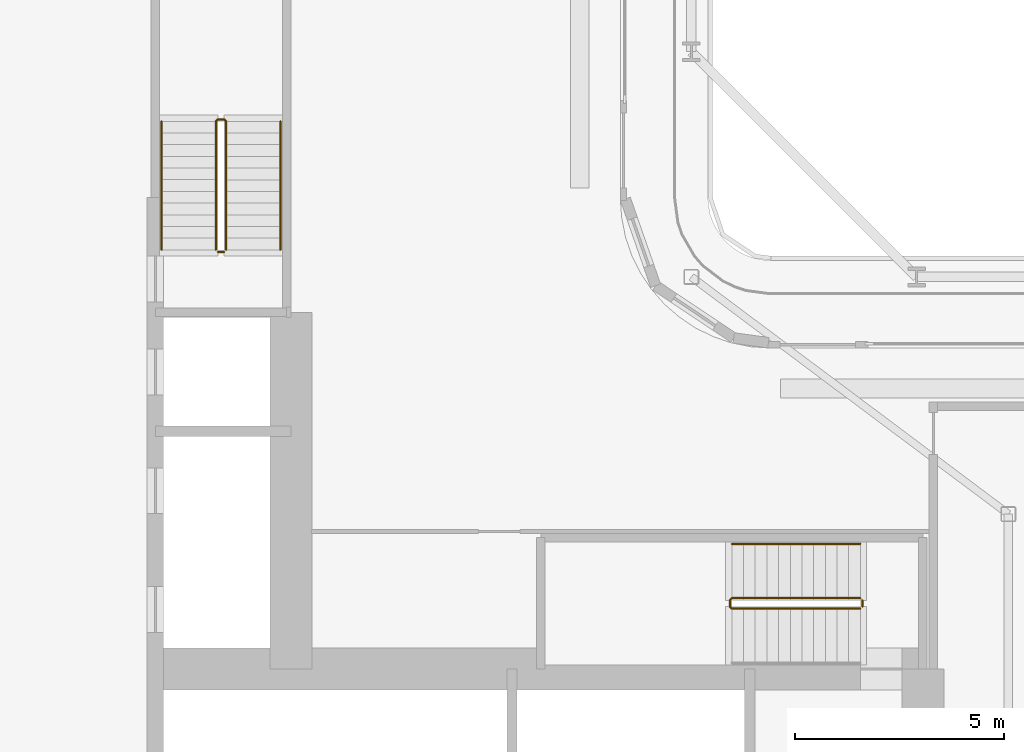
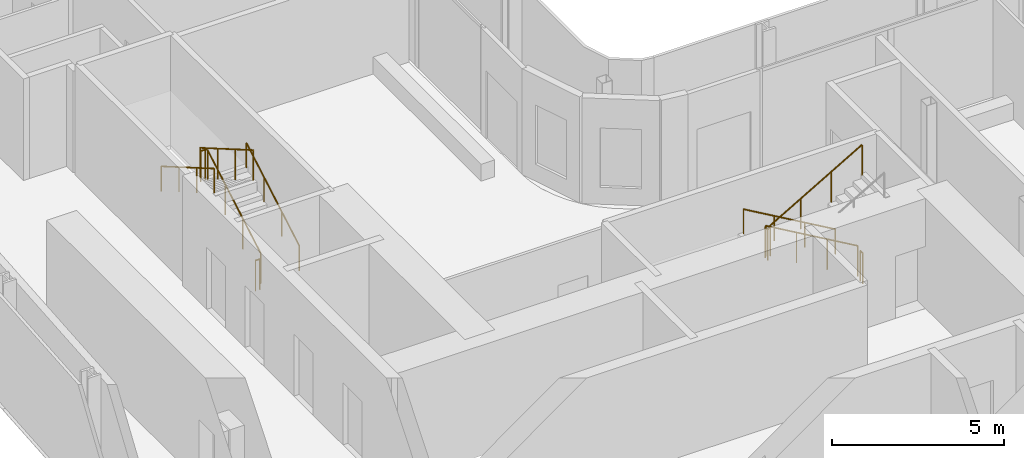
# One storey, part 22 of 27: 7 railings.
"""IFC4 building model written with IfcOpenShell, lengths in metres."""

from ifc_helpers import new_model, si_unit, direction, frame, origin, origin_2d, place, context, subcontext, project, spatial, circle, extrude, material, type_object, element, save


model = new_model("IFC4")

# Units and contexts
model_context = context("Model", 3, precision=1e-05, world=origin(), true_north=direction((0.0, 1.0)))
body_context = subcontext(model_context, "Body", "Model", "MODEL_VIEW")
ifc_project = project(units=[si_unit("LENGTHUNIT", "METRE"), si_unit("AREAUNIT", "SQUARE_METRE"), si_unit("VOLUMEUNIT", "CUBIC_METRE"), si_unit("PLANEANGLEUNIT", "RADIAN"), si_unit("MASSUNIT", "GRAM", prefix="KILO")], contexts=[model_context])

# Site, building, storey
site_placement = place(None, origin())
site = spatial("IfcSite", under=ifc_project, at=site_placement, CompositionType="ELEMENT")
building_placement = place(site_placement, origin())
building = spatial("IfcBuilding", under=site, at=building_placement, Name="Kheshtan School and Residences Tower", CompositionType="ELEMENT")
storey_placement = place(building_placement, frame((0.0, 0.0, 50.0)))
storey = spatial("IfcBuildingStorey", under=building, at=storey_placement, Name="L11", CompositionType="ELEMENT", Elevation=50.0)

# Railings
ifc_material_1 = material(Name="Stainless steel balustrade", Category="steel")
railing_type_1 = type_object("IfcRailingType", Name="Stair guard 1100", PredefinedType="GUARDRAIL", material=ifc_material_1)
railing_1_placement = place(storey_placement, frame((51.64990234375, 37.89990234375, 0.16259765625)))
element("IfcRailing", 1, at=railing_1_placement, inside=storey, type_object=railing_type_1, Name="L11 ST1 stair guard 1", PredefinedType="GUARDRAIL", context=body_context, shape_type="SweptSolid", body=[
    extrude(circle(Radius=0.02392578125, at=origin_2d()), frame((0.0, 0.0, 1.076171875), z_axis=(-0.864903211148, 0.0, 0.501938676878), x_axis=(0.0, -1.0, 0.0)), (0.0, 0.0, 1.0), 3.560791015625),
    extrude(circle(Radius=0.02392578125, at=origin_2d()), frame((-3.079833984375, 0.0, 2.86328125), z_axis=(-0.708833529934, -0.705375805398, 0.0), x_axis=(0.705375805398, -0.708833529934, 0.0)), (0.0, 0.0, 1.0), 0.070556640625),
    extrude(circle(Radius=0.02392578125, at=origin_2d()), frame((-3.1298828125, -0.0498046875, 2.86328125), z_axis=(0.0, -1.0, 0.0), x_axis=(1.0, 0.0, 0.0)), (0.0, 0.0, 1.0), 0.150146484375),
    extrude(circle(Radius=0.02392578125, at=origin_2d()), frame((-3.1298828125, -0.199951171875, 2.86328125), z_axis=(0.282227285176, -0.282227285176, 0.916894497205), x_axis=(0.707106781187, 0.707106781187, 0.0)), (0.0, 0.0, 1.0), 0.17724609375),
    extrude(circle(Radius=0.02392578125, at=origin_2d()), frame((-3.079833984375, -0.25, 3.02587890625), z_axis=(0.864903211148, 0.0, 0.501938676878), x_axis=(0.0, 1.0, 0.0)), (0.0, 0.0, 1.0), 3.560791015625),
    extrude(circle(Radius=0.02099609375, at=origin_2d()), origin(), (0.0, 0.0, 1.0), 1.052001953125),
    extrude(circle(Radius=0.02099609375, at=origin_2d()), frame((-1.026611328125, 0.0, 0.595703125)), (0.0, 0.0, 1.0), 1.052001953125),
    extrude(circle(Radius=0.02099609375, at=origin_2d()), frame((-2.05322265625, 0.0, 1.191650390625)), (0.0, 0.0, 1.0), 1.052001953125),
    extrude(circle(Radius=0.02099609375, at=origin_2d()), frame((-3.079833984375, 0.0, 1.787353515625)), (0.0, 0.0, 1.0), 1.052001953125),
    extrude(circle(Radius=0.02099609375, at=origin_2d()), frame((-3.1298828125, -0.0498046875, 1.787353515625)), (0.0, 0.0, 1.0), 1.052001953125),
    extrude(circle(Radius=0.02099609375, at=origin_2d()), frame((-3.1298828125, -0.199951171875, 1.787353515625)), (0.0, 0.0, 1.0), 1.052001953125),
    extrude(circle(Radius=0.02099609375, at=origin_2d()), frame((-3.079833984375, -0.25, 1.949951171875)), (0.0, 0.0, 1.0), 1.052001953125),
    extrude(circle(Radius=0.02099609375, at=origin_2d()), frame((-2.05322265625, -0.25, 2.545654296875)), (0.0, 0.0, 1.0), 1.052001953125),
    extrude(circle(Radius=0.02099609375, at=origin_2d()), frame((-1.026611328125, -0.25, 3.1416015625)), (0.0, 0.0, 1.0), 1.052001953125),
    extrude(circle(Radius=0.02099609375, at=origin_2d()), frame((0.0, -0.25, 3.7373046875)), (0.0, 0.0, 1.0), 1.052001953125),
])
railing_2_placement = place(storey_placement, frame((51.699951171875, 37.85009765625, 0.0)))
element("IfcRailing", 2, at=railing_2_placement, inside=storey, type_object=railing_type_1, Name="L11 ST1 stair guard 2", PredefinedType="GUARDRAIL", context=body_context, shape_type="SweptSolid", body=[
    extrude(circle(Radius=0.02392578125, at=origin_2d()), frame((0.0, 0.0, 1.076171875), z_axis=(0.0, -1.0, 0.0), x_axis=(1.0, 0.0, 0.0)), (0.0, 0.0, 1.0), 0.150146484375),
    extrude(circle(Radius=0.02099609375, at=origin_2d()), origin(), (0.0, 0.0, 1.0), 1.052001953125),
    extrude(circle(Radius=0.02099609375, at=origin_2d()), frame((0.0, -0.150146484375, 0.0)), (0.0, 0.0, 1.0), 1.052001953125),
])
railing_3_placement = place(storey_placement, frame((36.449951171875, 46.25, 0.16259765625)))
element("IfcRailing", 3, at=railing_3_placement, inside=storey, type_object=railing_type_1, Name="L11 ST2 stair guard 1", PredefinedType="GUARDRAIL", context=body_context, shape_type="SweptSolid", body=[
    extrude(circle(Radius=0.02392578125, at=origin_2d()), frame((0.0, 0.0, 1.076171875), z_axis=(0.0, 0.864920483161, 0.501908913857), x_axis=(-1.0, 0.0, 0.0)), (0.0, 0.0, 1.0), 3.56103515625),
    extrude(circle(Radius=0.02392578125, at=origin_2d()), frame((0.0, 3.080078125, 2.86328125), z_axis=(-0.708833529934, 0.705375805398, 0.0), x_axis=(-0.705375805398, -0.708833529934, 0.0)), (0.0, 0.0, 1.0), 0.070556640625),
    extrude(circle(Radius=0.02392578125, at=origin_2d()), frame((-0.050048828125, 3.1298828125, 2.86328125), z_axis=(-1.0, 0.0, 0.0), x_axis=(0.0, -1.0, 0.0)), (0.0, 0.0, 1.0), 0.14990234375),
    extrude(circle(Radius=0.02392578125, at=origin_2d()), frame((-0.199951171875, 3.1298828125, 2.86328125), z_axis=(-0.282336740067, -0.280959487676, 0.917250092119), x_axis=(0.705375805398, -0.708833529934, 0.0)), (0.0, 0.0, 1.0), 0.17724609375),
    extrude(circle(Radius=0.02392578125, at=origin_2d()), frame((-0.25, 3.080078125, 3.02587890625), z_axis=(0.0, -0.864920483161, 0.501908913857), x_axis=(1.0, 0.0, 0.0)), (0.0, 0.0, 1.0), 3.56103515625),
    extrude(circle(Radius=0.02099609375, at=origin_2d()), origin(), (0.0, 0.0, 1.0), 1.052001953125),
    extrude(circle(Radius=0.02099609375, at=origin_2d()), frame((0.0, 1.026611328125, 0.595703125)), (0.0, 0.0, 1.0), 1.052001953125),
    extrude(circle(Radius=0.02099609375, at=origin_2d()), frame((0.0, 2.053466796875, 1.191650390625)), (0.0, 0.0, 1.0), 1.052001953125),
    extrude(circle(Radius=0.02099609375, at=origin_2d()), frame((0.0, 3.080078125, 1.787353515625)), (0.0, 0.0, 1.0), 1.052001953125),
    extrude(circle(Radius=0.02099609375, at=origin_2d()), frame((-0.050048828125, 3.1298828125, 1.787353515625)), (0.0, 0.0, 1.0), 1.052001953125),
    extrude(circle(Radius=0.02099609375, at=origin_2d()), frame((-0.199951171875, 3.1298828125, 1.787353515625)), (0.0, 0.0, 1.0), 1.052001953125),
    extrude(circle(Radius=0.02099609375, at=origin_2d()), frame((-0.25, 3.080078125, 1.949951171875)), (0.0, 0.0, 1.0), 1.052001953125),
    extrude(circle(Radius=0.02099609375, at=origin_2d()), frame((-0.25, 2.053466796875, 2.545654296875)), (0.0, 0.0, 1.0), 1.052001953125),
    extrude(circle(Radius=0.02099609375, at=origin_2d()), frame((-0.25, 1.026611328125, 3.1416015625)), (0.0, 0.0, 1.0), 1.052001953125),
    extrude(circle(Radius=0.02099609375, at=origin_2d()), frame((-0.25, 0.0, 3.7373046875)), (0.0, 0.0, 1.0), 1.052001953125),
])
railing_4_placement = place(storey_placement, frame((36.39990234375, 46.199951171875, 0.0)))
element("IfcRailing", 4, at=railing_4_placement, inside=storey, type_object=railing_type_1, Name="L11 ST2 stair guard 2", PredefinedType="GUARDRAIL", context=body_context, shape_type="SweptSolid", body=[
    extrude(circle(Radius=0.02392578125, at=origin_2d()), frame((0.0, 0.0, 1.076171875), z_axis=(-1.0, 0.0, 0.0), x_axis=(0.0, -1.0, 0.0)), (0.0, 0.0, 1.0), 0.14990234375),
    extrude(circle(Radius=0.02099609375, at=origin_2d()), origin(), (0.0, 0.0, 1.0), 1.052001953125),
    extrude(circle(Radius=0.02099609375, at=origin_2d()), frame((-0.14990234375, 0.0, 0.0)), (0.0, 0.0, 1.0), 1.052001953125),
])
ifc_material_2 = material(Name="Stainless steel handrail", Category="steel")
railing_type_2 = type_object("IfcRailingType", Name="Stair handrail 900", PredefinedType="HANDRAIL", material=ifc_material_2)
railing_5_placement = place(storey_placement, frame((51.64990234375, 39.199951171875, 0.16259765625)))
element("IfcRailing", 5, at=railing_5_placement, inside=storey, type_object=railing_type_2, Name="L11 ST1 stair handrail 1", PredefinedType="HANDRAIL", context=body_context, shape_type="SweptSolid", body=[
    extrude(circle(Radius=0.02392578125, at=origin_2d()), frame((0.0, 0.0, 0.8759765625), z_axis=(-0.864903211148, 0.0, 0.501938676878), x_axis=(0.0, -1.0, 0.0)), (0.0, 0.0, 1.0), 3.560791015625),
    extrude(circle(Radius=0.02099609375, at=origin_2d()), origin(), (0.0, 0.0, 1.0), 0.851806640625),
    extrude(circle(Radius=0.02099609375, at=origin_2d()), frame((-1.026611328125, 0.0, 0.595703125)), (0.0, 0.0, 1.0), 0.851806640625),
    extrude(circle(Radius=0.02099609375, at=origin_2d()), frame((-2.05322265625, 0.0, 1.191650390625)), (0.0, 0.0, 1.0), 0.851806640625),
    extrude(circle(Radius=0.02099609375, at=origin_2d()), frame((-3.079833984375, 0.0, 1.787353515625)), (0.0, 0.0, 1.0), 0.851806640625),
])
railing_6_placement = place(storey_placement, frame((37.75, 46.25, 0.16259765625)))
element("IfcRailing", 6, at=railing_6_placement, inside=storey, type_object=railing_type_2, Name="L11 ST2 stair handrail 1", PredefinedType="HANDRAIL", context=body_context, shape_type="SweptSolid", body=[
    extrude(circle(Radius=0.02392578125, at=origin_2d()), frame((0.0, 0.0, 0.8759765625), z_axis=(0.0, 0.864920483161, 0.501908913857), x_axis=(-1.0, 0.0, 0.0)), (0.0, 0.0, 1.0), 3.56103515625),
    extrude(circle(Radius=0.02099609375, at=origin_2d()), origin(), (0.0, 0.0, 1.0), 0.851806640625),
    extrude(circle(Radius=0.02099609375, at=origin_2d()), frame((0.0, 1.026611328125, 0.595703125)), (0.0, 0.0, 1.0), 0.851806640625),
    extrude(circle(Radius=0.02099609375, at=origin_2d()), frame((0.0, 2.053466796875, 1.191650390625)), (0.0, 0.0, 1.0), 0.851806640625),
    extrude(circle(Radius=0.02099609375, at=origin_2d()), frame((0.0, 3.080078125, 1.787353515625)), (0.0, 0.0, 1.0), 0.851806640625),
])
railing_7_placement = place(storey_placement, frame((34.89990234375, 49.330078125, 2.112548828125)))
element("IfcRailing", 7, at=railing_7_placement, inside=storey, type_object=railing_type_2, Name="L11 ST2 stair handrail 2", PredefinedType="HANDRAIL", context=body_context, shape_type="SweptSolid", body=[
    extrude(circle(Radius=0.02392578125, at=origin_2d()), frame((0.0, 0.0, 0.8759765625), z_axis=(0.0, -0.864920483161, 0.501908913857), x_axis=(1.0, 0.0, 0.0)), (0.0, 0.0, 1.0), 3.56103515625),
    extrude(circle(Radius=0.02099609375, at=origin_2d()), origin(), (0.0, 0.0, 1.0), 0.851806640625),
    extrude(circle(Radius=0.02099609375, at=origin_2d()), frame((0.0, -1.026611328125, 0.595703125)), (0.0, 0.0, 1.0), 0.851806640625),
    extrude(circle(Radius=0.02099609375, at=origin_2d()), frame((0.0, -2.053466796875, 1.191650390625)), (0.0, 0.0, 1.0), 0.851806640625),
    extrude(circle(Radius=0.02099609375, at=origin_2d()), frame((0.0, -3.080078125, 1.787353515625)), (0.0, 0.0, 1.0), 0.851806640625),
])

save(model, "model.ifc")
